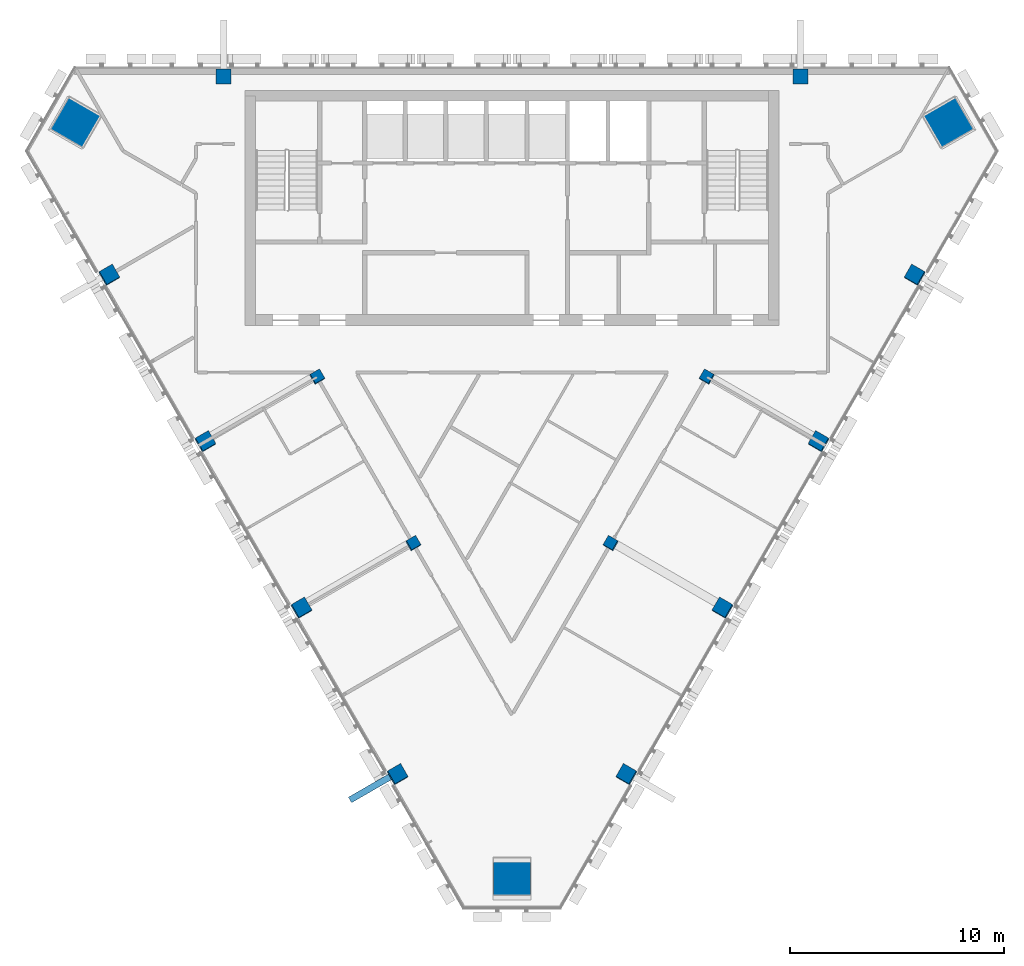
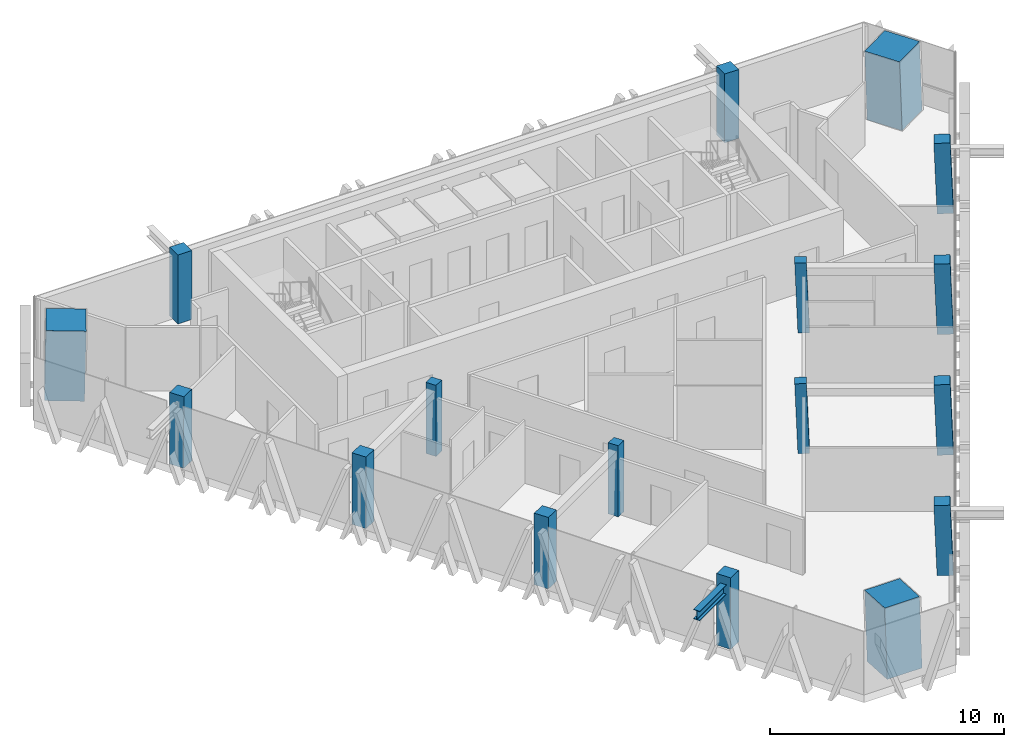
# One storey, part 1 of 12: 17 columns, 1 member.
"""IFC4 building model written with IfcOpenShell, lengths in metres."""

from ifc_helpers import new_model, si_unit, direction, frame, origin, origin_2d, place, context, subcontext, project, spatial, rectangle, i_section, extrude, material, material_profile, profile_set, type_object, element, save


model = new_model("IFC4")

# Units and contexts
model_context = context("Model", 3, precision=1e-05, world=origin(), true_north=direction((0.0, 1.0)))
body_context = subcontext(model_context, "Body", "Model", "MODEL_VIEW")
ifc_project = project(units=[si_unit("LENGTHUNIT", "METRE"), si_unit("AREAUNIT", "SQUARE_METRE"), si_unit("VOLUMEUNIT", "CUBIC_METRE"), si_unit("PLANEANGLEUNIT", "RADIAN"), si_unit("MASSUNIT", "GRAM", prefix="KILO")], contexts=[model_context])

# Site, building, storey
site_placement = place(None, origin())
site = spatial("IfcSite", under=ifc_project, at=site_placement, CompositionType="ELEMENT")
building_placement = place(site_placement, origin())
building = spatial("IfcBuilding", under=site, at=building_placement, Name="Altiplano Prism Tower", CompositionType="ELEMENT")
storey_placement = place(building_placement, frame((0.0, 0.0, 282.39990234375)))
storey = spatial("IfcBuildingStorey", under=building, at=storey_placement, Name="L73", CompositionType="ELEMENT", Elevation=282.39990234375)

# Columns
ifc_material_1 = material(Name="Concrete C60/75", Category="concrete")
ifc_material_profile_1 = material_profile(ifc_material_1, rectangle(XDim=0.5, YDim=0.5, at=origin_2d()), Name="Inner column 500")
ifc_profile_set_1 = profile_set([ifc_material_profile_1], Name="Concrete C60/75")
column_type_1 = type_object("IfcColumnType", Name="Inner column 500", PredefinedType="COLUMN", material=ifc_profile_set_1)
for number, where, z_axis, x_axis, name in (
    (1, (75.8671875, 90.4755859375, -0.01513671875), (0.022153634206, 0.038480930364, 0.999013730882), (-0.864982432441, -0.500326616032, 0.038453463537), "Inner column I12 L73"),
    (2, (80.3671875, 82.681396484375, -0.01513671875), (0.02215369191, 0.038413282303, 0.999016333038), (-0.865364679312, -0.499669092789, 0.038402727909), "Inner column I13 L73"),
    (3, (89.6328125, 82.681396484375, -0.01513671875), (-0.02215369191, 0.038413282303, 0.999016333038), (-0.500652759639, -0.865364210869, 0.022171982582), "Inner column I22 L73"),
    (4, (94.1328125, 90.4755859375, -0.01513671875), (-0.022153634206, 0.038480930364, 0.999013730882), (-0.501312884394, -0.864981210945, 0.022201275913), "Inner column I23 L73"),
):
    element("IfcColumn", number, at=place(storey_placement, frame(where, z_axis=z_axis, x_axis=x_axis)), inside=storey, type_object=column_type_1, Name=name, PredefinedType="COLUMN", context=body_context, shape_type="SweptSolid", body=[
        extrude(rectangle(XDim=0.5, YDim=0.5, at=origin_2d()), origin(), (0.0, 0.0, 1.0), 3.603759765625),
    ])
ifc_material_2 = material(Name="Concrete C70/85", Category="concrete")
ifc_material_profile_2 = material_profile(ifc_material_2, rectangle(XDim=1.719970703125, YDim=1.719970703125, at=origin_2d()), Name="Mega column infill 1800")
ifc_profile_set_2 = profile_set([ifc_material_profile_2], Name="Concrete C70/85")
column_type_2 = type_object("IfcColumnType", Name="Mega column infill 1800", PredefinedType="COLUMN", material=ifc_profile_set_2)
column_1_placement = place(storey_placement, frame((64.5068359375, 102.38427734375, 0.0), z_axis=(0.028401796786, 0.009286506348, 0.999553449666), x_axis=(-0.866197483961, 0.499302483219, 0.019973708503)))
element("IfcColumn", 5, at=column_1_placement, inside=storey, type_object=column_type_2, Name="Mega column M0 L73", PredefinedType="COLUMN", context=body_context, shape_type="SweptSolid", body=[
    extrude(rectangle(XDim=1.719970703125, YDim=1.719970703125, at=origin_2d()), origin(), (0.0, 0.0, 1.0), 3.601806640625),
])
column_2_placement = place(storey_placement, frame((85.0, 66.889404296875, 0.0), z_axis=(0.0, 0.058356907999, 0.998295783467), x_axis=(-1.0, 0.0, 0.0)))
element("IfcColumn", 6, at=column_2_placement, inside=storey, type_object=column_type_2, Name="Mega column M1 L73", PredefinedType="COLUMN", context=body_context, shape_type="SweptSolid", body=[
    extrude(rectangle(XDim=1.719970703125, YDim=1.719970703125, at=origin_2d()), origin(), (0.0, 0.0, 1.0), 3.606201171875),
])
column_3_placement = place(storey_placement, frame((105.4931640625, 102.38427734375, 0.0), z_axis=(-0.028401796786, 0.009286506348, 0.999553449666), x_axis=(0.498891539086, -0.866379410279, 0.022224978576)))
element("IfcColumn", 7, at=column_3_placement, inside=storey, type_object=column_type_2, Name="Mega column M2 L73", PredefinedType="COLUMN", context=body_context, shape_type="SweptSolid", body=[
    extrude(rectangle(XDim=1.719970703125, YDim=1.719970703125, at=origin_2d()), origin(), (0.0, 0.0, 1.0), 3.601806640625),
])
ifc_material_profile_3 = material_profile(ifc_material_1, rectangle(XDim=0.699951171875, YDim=0.699951171875, at=origin_2d()), Name="Perimeter column 700")
ifc_profile_set_3 = profile_set([ifc_material_profile_3], Name="Concrete C60/75")
column_type_3 = type_object("IfcColumnType", Name="Perimeter column 700", PredefinedType="COLUMN", material=ifc_profile_set_3)
for number, where, z_axis, x_axis, name in (
    (8, (98.5, 104.550048828125, 0.0), (0.0, 0.0, 1.0), (1.0, 0.0, 0.0), "Perimeter column P01 L73"),
    (9, (71.5, 104.550048828125, 0.0), (0.0, 0.0, 1.0), (1.0, 0.0, 0.0), "Perimeter column P04 L73"),
):
    element("IfcColumn", number, at=place(storey_placement, frame(where, z_axis=z_axis, x_axis=x_axis)), inside=storey, type_object=column_type_3, Name=name, PredefinedType="COLUMN", context=body_context, shape_type="SweptSolid", body=[
        extrude(rectangle(XDim=0.699951171875, YDim=0.699951171875, at=origin_2d()), origin(), (0.0, 0.0, 1.0), 3.60009765625),
    ])
for number, where, z_axis, x_axis, name in (
    (10, (66.12744140625, 95.24462890625, -0.021240234375), (0.022225733404, 0.03845725386, 0.999013041156), (-0.865819366365, -0.498875864033, 0.03846683134), "Perimeter column P11 L73"),
    (11, (70.62744140625, 87.450439453125, -0.021240234375), (0.022225733404, 0.03845725386, 0.999013041156), (-0.865817813444, -0.498878553861, 0.038466900336), "Perimeter column P12 L73"),
    (12, (75.12744140625, 79.65625, -0.021240234375), (0.022225790921, 0.0383900025, 0.999015626467), (-0.866197676336, -0.498222598001, 0.038416511431), "Perimeter column P13 L73"),
    (13, (79.62744140625, 71.86181640625, -0.021240234375), (0.022225733404, 0.03845725386, 0.999013041156), (-0.865816243065, -0.498881273907, 0.038466970108), "Perimeter column P14 L73"),
    (14, (90.37255859375, 71.86181640625, -0.021240234375), (-0.022225733404, 0.03845725386, 0.999013041156), (-0.499868232656, -0.86581667469, 0.022208912861), "Perimeter column P21 L73"),
    (15, (94.87255859375, 79.65625, -0.021240234375), (-0.022225790921, 0.0383900025, 0.999015626467), (-0.499206970832, -0.866198851621, 0.022179939665), "Perimeter column P22 L73"),
    (16, (99.37255859375, 87.450439453125, -0.021240234375), (-0.022225733404, 0.03845725386, 0.999013041156), (-0.499865512612, -0.865818241967, 0.022209033709), "Perimeter column P23 L73"),
    (17, (103.87255859375, 95.24462890625, -0.021240234375), (-0.022225733404, 0.03845725386, 0.999013041156), (-0.499862822785, -0.865819791822, 0.022209153213), "Perimeter column P24 L73"),
):
    element("IfcColumn", number, at=place(storey_placement, frame(where, z_axis=z_axis, x_axis=x_axis)), inside=storey, type_object=column_type_3, Name=name, PredefinedType="COLUMN", context=body_context, shape_type="SweptSolid", body=[
        extrude(rectangle(XDim=0.699951171875, YDim=0.699951171875, at=origin_2d()), origin(), (0.0, 0.0, 1.0), 3.625),
    ])

# Member
ifc_material_3 = material(Name="Steel S355", Category="steel")
ifc_material_profile_4 = material_profile(ifc_material_3, i_section(OverallWidth=0.300048828125, OverallDepth=0.5, WebThickness=0.014404296875, FlangeThickness=0.028076171875, FilletRadius=0.027099609375, at=origin_2d()), Name="Brace bracket HEB 500")
ifc_profile_set_4 = profile_set([ifc_material_profile_4], Name="Steel S355")
member_type = type_object("IfcMemberType", Name="Brace bracket HEB 500", PredefinedType="STRUT", material=ifc_profile_set_4)
member_placement = place(storey_placement, frame((79.7080078125, 72.001220703125, 2.9501953125), z_axis=(-0.866029095148, -0.499993606316, 0.0), x_axis=(0.499993606316, -0.866029095148, 0.0)))
element("IfcMember", 18, at=member_placement, inside=storey, type_object=member_type, Name="Brace bracket 1.286", PredefinedType="STRUT", context=body_context, shape_type="SweptSolid", body=[
    extrude(i_section(OverallWidth=0.300048828125, OverallDepth=0.5, WebThickness=0.014404296875, FlangeThickness=0.028076171875, FilletRadius=0.027099609375, at=origin_2d()), origin(), (0.0, 0.0, 1.0), 2.64990234375),
])

save(model, "model.ifc")
